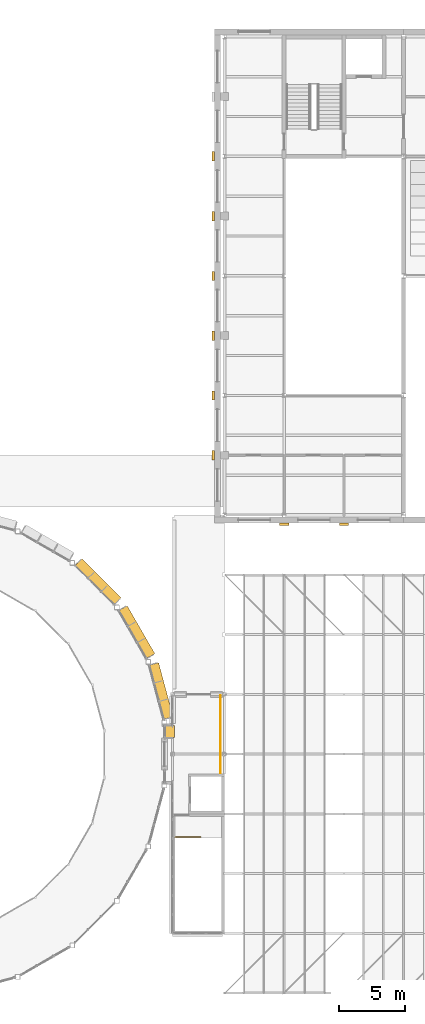
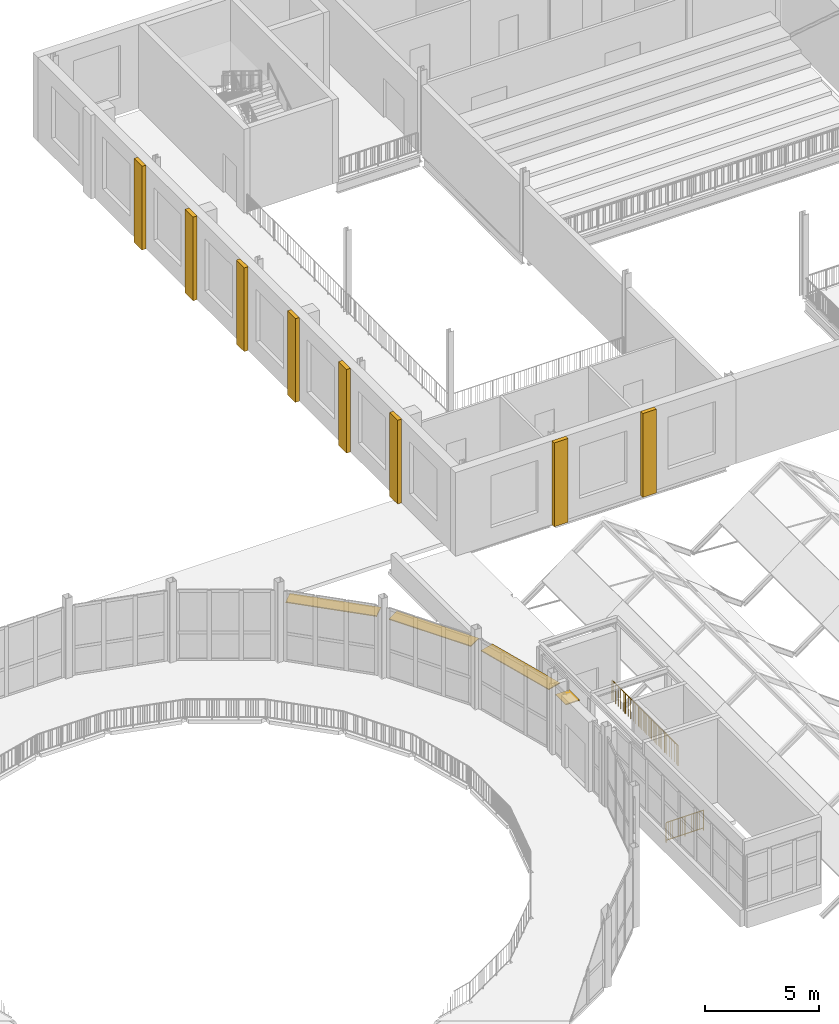
# One storey, part 67 of 74: 8 coverings, 4 shading devices, 2 railings.
"""IFC4 building model written with IfcOpenShell, lengths in metres."""

import ifcopenshell
import ifcopenshell.guid

model = None  # the IFC model being written
_history = None  # IfcOwnerHistory: only IFC2X3 demands one
_inside = {}  # id of a spatial element -> (the spatial element, [elements in it])
_under = {}  # id of a project, library or spatial element -> (it, [spatial elements below it])
_declared = {}  # id of a project -> (the project, [libraries it declares])
_typed = {}  # id of a type object -> (the type object, [elements of that type])
_made_of = {}  # id of a material, layer set ... -> (it, [elements and type objects made of it])


def new_model(schema):
    """Start an empty IFC model of exactly this schema.

    Asked for "IFC4X3", IfcOpenShell would pick the latest addendum, in which some entities
    have other attributes; the version numbers below select the first issue.
    IFC2X3 requires an IfcOwnerHistory on every rooted entity: one is made here for all.
    """
    global model, _history
    if schema == "IFC4X3":
        model = ifcopenshell.file(schema_version=(4, 3, 0, 0))
    else:
        model = ifcopenshell.file(schema=schema)
    _inside.clear()
    _under.clear()
    _declared.clear()
    _typed.clear()
    _made_of.clear()
    _history = None
    if model.schema == "IFC2X3":
        org = make("IfcOrganization", Name="unknown")
        user = make(
            "IfcPersonAndOrganization",
            ThePerson=make("IfcPerson", FamilyName="unknown"),
            TheOrganization=org,
        )
        app = make(
            "IfcApplication",
            ApplicationDeveloper=org,
            Version="unknown",
            ApplicationFullName="unknown",
            ApplicationIdentifier="unknown",
        )
        _history = make(
            "IfcOwnerHistory",
            OwningUser=user,
            OwningApplication=app,
            ChangeAction="ADDED",
            CreationDate=0,
        )
    return model


def make(cls, **values):
    """One entity of the class cls with the attributes given. An attribute that is None is left unset."""
    return model.create_entity(
        cls, **{name: value for name, value in values.items() if value is not None}
    )


def rooted(cls, **values):
    """An entity with a GlobalId (a new one), such as an element, a storey or a relation."""
    return make(cls, GlobalId=ifcopenshell.guid.new(), OwnerHistory=_history, **values)


def si_unit(unit_type, name, prefix=None):
    """IfcSIUnit, for example si_unit("LENGTHUNIT", "METRE", prefix="MILLI")."""
    return make("IfcSIUnit", UnitType=unit_type, Prefix=prefix, Name=name)


def assignment(units):
    """IfcUnitAssignment: the units of a project."""
    return None if units is None else make("IfcUnitAssignment", Units=units)


def point(xyz):
    """IfcCartesianPoint."""
    return None if xyz is None else make("IfcCartesianPoint", Coordinates=xyz)


def direction(xyz):
    """IfcDirection."""
    return None if xyz is None else make("IfcDirection", DirectionRatios=xyz)


def frame(location, z_axis=None, x_axis=None):
    """IfcAxis2Placement3D, a coordinate frame: its origin and axes. An axis left out is left unset."""
    return make(
        "IfcAxis2Placement3D",
        Location=point(location),
        Axis=direction(z_axis),
        RefDirection=direction(x_axis),
    )


def frame_2d(location, x_axis=None):
    """IfcAxis2Placement2D, a coordinate frame in the plane: its origin and x axis."""
    return make(
        "IfcAxis2Placement2D", Location=point(location), RefDirection=direction(x_axis)
    )


def origin():
    """The frame at (0, 0, 0) with its axes left unset."""
    return frame((0.0, 0.0, 0.0))


def origin_2d():
    """The frame at (0, 0) in the plane with its x axis left unset."""
    return frame_2d((0.0, 0.0))


def place(relative_to, where):
    """IfcLocalPlacement: puts the frame where relative to a parent placement (None: the world)."""
    return make(
        "IfcLocalPlacement", PlacementRelTo=relative_to, RelativePlacement=where
    )


def context(
    kind, dimensions, precision=None, world=None, true_north=None, identifier=None
):
    """IfcGeometricRepresentationContext, for example the 3D "Model" context."""
    return make(
        "IfcGeometricRepresentationContext",
        ContextIdentifier=identifier,
        ContextType=kind,
        CoordinateSpaceDimension=dimensions,
        Precision=precision,
        WorldCoordinateSystem=world,
        TrueNorth=true_north,
    )


def subcontext(parent, identifier, kind, view, scale=None):
    """IfcGeometricRepresentationSubContext, for example "Body" below "Model"."""
    return make(
        "IfcGeometricRepresentationSubContext",
        ContextIdentifier=identifier,
        ContextType=kind,
        ParentContext=parent,
        TargetScale=scale,
        TargetView=view,
    )


def project(units=None, contexts=None):
    """IfcProject with its units and contexts."""
    return rooted(
        "IfcProject",
        Name="project",
        RepresentationContexts=contexts,
        UnitsInContext=assignment(units),
    )


def spatial(cls, under=None, at=None, **own):
    """A site, building, storey or space (cls), placed at a placement, below another one or the project."""
    s = rooted(cls, ObjectPlacement=at, **own)
    if under is not None:
        _under.setdefault(under.id(), (under, []))[1].append(s)
    return s


def profile(cls, at=None, kind="AREA", **sizes):
    """A parametric profile (cls). Its sizes go by their IFC names, for example OverallWidth=200.0."""
    return make(cls, ProfileType=kind, Position=at, **sizes)


def rectangle(**sizes):
    """IfcRectangleProfileDef."""
    return profile("IfcRectangleProfileDef", **sizes)


def circle(**sizes):
    """IfcCircleProfileDef."""
    return profile("IfcCircleProfileDef", **sizes)


def extrude(swept, where, along, depth):
    """IfcExtrudedAreaSolid: the profile swept, set in the frame where, extruded along a direction by depth."""
    return make(
        "IfcExtrudedAreaSolid",
        SweptArea=swept,
        Position=where,
        ExtrudedDirection=direction(along),
        Depth=depth,
    )


def shape(context_of_items, identifier, shape_type, items):
    """IfcShapeRepresentation: the items that make up one representation, for example the "Body"."""
    return make(
        "IfcShapeRepresentation",
        ContextOfItems=context_of_items,
        RepresentationIdentifier=identifier,
        RepresentationType=shape_type,
        Items=items,
    )


def material(Name=None, Category=None):
    """IfcMaterial."""
    return make("IfcMaterial", Name=Name, Category=Category)


def layer(
    of_material, thickness, ventilated=None, Name=None, Category=None, Priority=None
):
    """IfcMaterialLayer: one layer of a wall or slab, of a material (None: an air gap)."""
    return make(
        "IfcMaterialLayer",
        Material=of_material,
        LayerThickness=thickness,
        IsVentilated=ventilated,
        Name=Name,
        Category=Category,
        Priority=Priority,
    )


def layer_set(layers, Name=None):
    """IfcMaterialLayerSet."""
    return make("IfcMaterialLayerSet", MaterialLayers=layers, LayerSetName=Name)


def made_of(thing, what):
    """Note that an element or type object is made of a material, layer set ...; save() writes the relation."""
    if what is not None:
        _made_of.setdefault(what.id(), (what, []))[1].append(thing)
    return thing


def type_object(cls, material=None, **own):
    """A type object (cls), such as IfcWallType, which elements share."""
    return made_of(rooted(cls, **own), material)


def element(
    cls,
    number,
    at=None,
    inside=None,
    cuts=None,
    type_object=None,
    material=None,
    context=None,
    identifier="Body",
    shape_type=None,
    held_by="IfcProductDefinitionShape",
    body=None,
    shapes=None,
    **own,
):
    """One element of the class cls, such as IfcWall. Its Tag is "e" and its number.

    at: its placement. inside: the storey or other place that contains it. cuts: it is an
    opening in that element (IfcRelVoidsElement). A single representation is given by context,
    identifier, shape_type and body (its items); several are given by shapes. held_by: the class
    of the entity that holds the representations. save() writes the other relations.
    """
    e = rooted(cls, Tag="e%d" % number, ObjectPlacement=at, **own)
    if body is not None:
        shapes = [shape(context, identifier, shape_type, body)]
    if shapes is not None:
        e.Representation = make(held_by, Representations=shapes)
    if inside is not None:
        _inside.setdefault(inside.id(), (inside, []))[1].append(e)
    if cuts is not None:
        rooted(
            "IfcRelVoidsElement", RelatingBuildingElement=cuts, RelatedOpeningElement=e
        )
    if type_object is not None:
        _typed.setdefault(type_object.id(), (type_object, []))[1].append(e)
    return made_of(e, material)


def aggregate(whole, parts):
    """IfcRelAggregates: a whole, such as a stair, and the parts it consists of."""
    return rooted("IfcRelAggregates", RelatingObject=whole, RelatedObjects=parts)


def save(model, path):
    """Write the relations noted so far, then the file.

    IfcRelAggregates (storeys below a building ...), IfcRelContainedInSpatialStructure (elements
    in a storey), IfcRelDefinesByType, IfcRelAssociatesMaterial and IfcRelDeclares: one each for
    every whole, place, type object, material and project.
    """
    for whole, parts in _under.values():
        aggregate(whole, parts)
    for where, things in _inside.values():
        rooted(
            "IfcRelContainedInSpatialStructure",
            RelatedElements=things,
            RelatingStructure=where,
        )
    for kind, things in _typed.values():
        rooted("IfcRelDefinesByType", RelatedObjects=things, RelatingType=kind)
    for what, things in _made_of.values():
        rooted("IfcRelAssociatesMaterial", RelatedObjects=things, RelatingMaterial=what)
    for by, libraries in _declared.values():
        rooted("IfcRelDeclares", RelatingContext=by, RelatedDefinitions=libraries)
    model.write(path)


model = new_model("IFC4")

# Units and contexts
model_context = context("Model", 3, precision=1e-05, world=origin(), true_north=direction((0.0, 1.0)))
body_context = subcontext(model_context, "Body", "Model", "MODEL_VIEW")
ifc_project = project(units=[si_unit("LENGTHUNIT", "METRE"), si_unit("AREAUNIT", "SQUARE_METRE"), si_unit("VOLUMEUNIT", "CUBIC_METRE"), si_unit("PLANEANGLEUNIT", "RADIAN"), si_unit("MASSUNIT", "GRAM", prefix="KILO")], contexts=[model_context])

# Site, building, storey
site_placement = place(None, origin())
site = spatial("IfcSite", under=ifc_project, at=site_placement, CompositionType="ELEMENT")
building_placement = place(site_placement, origin())
building = spatial("IfcBuilding", under=site, at=building_placement, Name="Hortulan Conservatory and Botanical Research Centre", CompositionType="ELEMENT")
storey_placement = place(building_placement, frame((0.0, 0.0, 6.0)))
storey = spatial("IfcBuildingStorey", under=building, at=storey_placement, Name="L01", CompositionType="ELEMENT", Elevation=6.0)

# Shading devices
ifc_material_1 = material(Name="Bronze-finished perforated aluminium", Category="aluminium")
ifc_layer_1 = layer(ifc_material_1, 0.050048828125)
ifc_layer_set_1 = layer_set([ifc_layer_1], Name="Banksia Brise-soleil Blade 700x50")
shading_device_type = type_object("IfcShadingDeviceType", Name="Banksia Brise-soleil Blade 700x50", PredefinedType="USERDEFINED", material=ifc_layer_set_1)
shading_device_1_placement = place(storey_placement, frame((71.753662109375, 22.75732421875, 3.10009765625), z_axis=(0.0, 0.0, 1.0), x_axis=(0.258832531946, -0.965922212399, 0.0)))
element("IfcShadingDevice", 1, at=shading_device_1_placement, inside=storey, type_object=shading_device_type, Name="Banksia brise-soleil blade", ObjectType="Banksia blade", PredefinedType="USERDEFINED", context=body_context, shape_type="SweptSolid", body=[
    extrude(rectangle(XDim=4.2109375, YDim=0.699951171875, at=origin_2d()), origin(), (0.0, 0.0, 1.0), 0.050048828125),
])
shading_device_2_placement = place(storey_placement, frame((69.91748046875, 27.18994140625, 3.10009765625), z_axis=(0.0, 0.0, 1.0), x_axis=(0.499981861897, -0.86603587557, 0.0)))
element("IfcShadingDevice", 2, at=shading_device_2_placement, inside=storey, type_object=shading_device_type, Name="Banksia brise-soleil blade", ObjectType="Banksia blade", PredefinedType="USERDEFINED", context=body_context, shape_type="SweptSolid", body=[
    extrude(rectangle(XDim=4.16064453125, YDim=0.699951171875, at=origin_2d()), origin(), (0.0, 0.0, 1.0), 0.050048828125),
])
shading_device_3_placement = place(storey_placement, frame((66.99658203125, 30.99658203125, 3.10009765625), z_axis=(0.0, 0.0, 1.0), x_axis=(0.707106781187, -0.707106781187, 0.0)))
element("IfcShadingDevice", 3, at=shading_device_3_placement, inside=storey, type_object=shading_device_type, Name="Banksia brise-soleil blade", ObjectType="Banksia blade", PredefinedType="USERDEFINED", context=body_context, shape_type="SweptSolid", body=[
    extrude(rectangle(XDim=4.145263671875, YDim=0.699951171875, at=origin_2d()), origin(), (0.0, 0.0, 1.0), 0.050048828125),
])
shading_device_4_placement = place(storey_placement, frame((72.3798828125, 19.697509765625, 3.10009765625), z_axis=(0.0, 0.0, 1.0), x_axis=(0.0, -1.0, 0.0)))
element("IfcShadingDevice", 4, at=shading_device_4_placement, inside=storey, type_object=shading_device_type, Name="Banksia brise-soleil blade", ObjectType="Banksia blade", PredefinedType="USERDEFINED", context=body_context, shape_type="SweptSolid", body=[
    extrude(rectangle(XDim=0.89501953125, YDim=0.699951171875, at=origin_2d()), origin(), (0.0, 0.0, 1.0), 0.050048828125),
])

# Coverings
ifc_material_2 = material(Name="Sandstone masonry (Hawkesbury yellow block)", Category="masonry")
ifc_layer_2 = layer(ifc_material_2, 0.199951171875)
ifc_layer_set_2 = layer_set([ifc_layer_2], Name="Sandstone Pilaster 700x200")
covering_type = type_object("IfcCoveringType", Name="Sandstone Pilaster 700x200", PredefinedType="CLADDING", material=ifc_layer_set_2)
for number, where, z_axis, x_axis, name in (
    (5, (85.5, 35.29541015625, 0.0), (0.0, 0.0, 1.0), (-1.0, 0.0, 0.0), "Pier"),
    (6, (81.0, 35.29541015625, 0.0), (0.0, 0.0, 1.0), (-1.0, 0.0, 0.0), "Pier"),
    (7, (75.64990234375, 40.5, 0.0), (0.0, 0.0, 1.0), (0.0, 1.0, 0.0), "Pier"),
    (8, (75.64990234375, 45.0, 0.0), (0.0, 0.0, 1.0), (0.0, 1.0, 0.0), "Pier"),
    (9, (75.64990234375, 49.5, 0.0), (0.0, 0.0, 1.0), (0.0, 1.0, 0.0), "Pier"),
    (10, (75.64990234375, 54.0, 0.0), (0.0, 0.0, 1.0), (0.0, 1.0, 0.0), "Pier"),
    (11, (75.64990234375, 58.5, 0.0), (0.0, 0.0, 1.0), (0.0, 1.0, 0.0), "Pier"),
    (12, (75.64990234375, 63.0, 0.0), (0.0, 0.0, 1.0), (0.0, 1.0, 0.0), "Pier"),
):
    element("IfcCovering", number, at=place(storey_placement, frame(where, z_axis=z_axis, x_axis=x_axis)), inside=storey, type_object=covering_type, Name=name, PredefinedType="CLADDING", context=body_context, shape_type="SweptSolid", body=[
        extrude(rectangle(XDim=0.699951171875, YDim=0.199951171875, at=origin_2d()), origin(), (0.0, 0.0, 1.0), 4.5),
    ])

# Railings
ifc_material_3 = material(Name="Steel balustrade, bronze-charcoal paint", Category="steel")
railing_type_1 = type_object("IfcRailingType", Name="Stair Guard 1100", PredefinedType="GUARDRAIL", material=ifc_material_3)
railing_1_placement = place(storey_placement, frame((72.800048828125, 11.75, 0.0)))
element("IfcRailing", 13, at=railing_1_placement, inside=storey, type_object=railing_type_1, Name="Guard SHE L01 stair well 1", PredefinedType="GUARDRAIL", context=body_context, shape_type="SweptSolid", body=[
    extrude(circle(Radius=0.02392578125, at=origin_2d()), frame((0.0, 0.0, 1.076171875), z_axis=(1.0, 0.0, 0.0), x_axis=(0.0, 1.0, 0.0)), (0.0, 0.0, 1.0), 1.89990234375),
    extrude(circle(Radius=0.02392578125, at=origin_2d()), frame((0.0, 0.0, 0.1240234375), z_axis=(1.0, 0.0, 0.0), x_axis=(0.0, 1.0, 0.0)), (0.0, 0.0, 1.0), 1.89990234375),
    extrude(circle(Radius=0.008056640625, at=origin_2d()), frame((0.10546875, 0.0, 0.148193359375)), (0.0, 0.0, 1.0), 0.90380859375),
    extrude(circle(Radius=0.008056640625, at=origin_2d()), frame((0.211181640625, 0.0, 0.148193359375)), (0.0, 0.0, 1.0), 0.90380859375),
    extrude(circle(Radius=0.008056640625, at=origin_2d()), frame((0.316650390625, 0.0, 0.148193359375)), (0.0, 0.0, 1.0), 0.90380859375),
    extrude(circle(Radius=0.008056640625, at=origin_2d()), frame((0.422119140625, 0.0, 0.148193359375)), (0.0, 0.0, 1.0), 0.90380859375),
    extrude(circle(Radius=0.008056640625, at=origin_2d()), frame((0.52783203125, 0.0, 0.148193359375)), (0.0, 0.0, 1.0), 0.90380859375),
    extrude(circle(Radius=0.008056640625, at=origin_2d()), frame((0.63330078125, 0.0, 0.148193359375)), (0.0, 0.0, 1.0), 0.90380859375),
    extrude(circle(Radius=0.008056640625, at=origin_2d()), frame((0.73876953125, 0.0, 0.148193359375)), (0.0, 0.0, 1.0), 0.90380859375),
    extrude(circle(Radius=0.008056640625, at=origin_2d()), frame((0.844482421875, 0.0, 0.148193359375)), (0.0, 0.0, 1.0), 0.90380859375),
    extrude(circle(Radius=0.008056640625, at=origin_2d()), frame((0.949951171875, 0.0, 0.148193359375)), (0.0, 0.0, 1.0), 0.90380859375),
    extrude(circle(Radius=0.008056640625, at=origin_2d()), frame((1.055419921875, 0.0, 0.148193359375)), (0.0, 0.0, 1.0), 0.90380859375),
    extrude(circle(Radius=0.008056640625, at=origin_2d()), frame((1.1611328125, 0.0, 0.148193359375)), (0.0, 0.0, 1.0), 0.90380859375),
    extrude(circle(Radius=0.008056640625, at=origin_2d()), frame((1.2666015625, 0.0, 0.148193359375)), (0.0, 0.0, 1.0), 0.90380859375),
    extrude(circle(Radius=0.008056640625, at=origin_2d()), frame((1.3720703125, 0.0, 0.148193359375)), (0.0, 0.0, 1.0), 0.90380859375),
    extrude(circle(Radius=0.008056640625, at=origin_2d()), frame((1.477783203125, 0.0, 0.148193359375)), (0.0, 0.0, 1.0), 0.90380859375),
    extrude(circle(Radius=0.008056640625, at=origin_2d()), frame((1.583251953125, 0.0, 0.148193359375)), (0.0, 0.0, 1.0), 0.90380859375),
    extrude(circle(Radius=0.008056640625, at=origin_2d()), frame((1.688720703125, 0.0, 0.148193359375)), (0.0, 0.0, 1.0), 0.90380859375),
    extrude(circle(Radius=0.008056640625, at=origin_2d()), frame((1.79443359375, 0.0, 0.148193359375)), (0.0, 0.0, 1.0), 0.90380859375),
    extrude(circle(Radius=0.02099609375, at=origin_2d()), origin(), (0.0, 0.0, 1.0), 1.052001953125),
    extrude(circle(Radius=0.02099609375, at=origin_2d()), frame((0.949951171875, 0.0, 0.0)), (0.0, 0.0, 1.0), 1.052001953125),
    extrude(circle(Radius=0.02099609375, at=origin_2d()), frame((1.89990234375, 0.0, 0.0)), (0.0, 0.0, 1.0), 1.052001953125),
])
ifc_material_4 = material(Name="Wrought iron guard, bronze-charcoal paint", Category="metal")
railing_type_2 = type_object("IfcRailingType", Name="Wrought Iron Guard 1100", PredefinedType="GUARDRAIL", material=ifc_material_4)
railing_2_placement = place(storey_placement, frame((76.199951171875, 16.60009765625, 0.0)))
element("IfcRailing", 14, at=railing_2_placement, inside=storey, type_object=railing_type_2, Name="East head link lobby guard", PredefinedType="GUARDRAIL", context=body_context, shape_type="SweptSolid", body=[
    extrude(circle(Radius=0.02490234375, at=origin_2d()), frame((0.0, 0.0, 1.0751953125), z_axis=(0.0, 1.0, 0.0), x_axis=(-1.0, 0.0, 0.0)), (0.0, 0.0, 1.0), 5.7998046875),
    extrude(circle(Radius=0.008056640625, at=origin_2d()), frame((0.0, 0.109375, 0.0)), (0.0, 0.0, 1.0), 1.050048828125),
    extrude(circle(Radius=0.008056640625, at=origin_2d()), frame((0.0, 0.21875, 0.0)), (0.0, 0.0, 1.0), 1.050048828125),
    extrude(circle(Radius=0.008056640625, at=origin_2d()), frame((0.0, 0.328369140625, 0.0)), (0.0, 0.0, 1.0), 1.050048828125),
    extrude(circle(Radius=0.008056640625, at=origin_2d()), frame((0.0, 0.437744140625, 0.0)), (0.0, 0.0, 1.0), 1.050048828125),
    extrude(circle(Radius=0.008056640625, at=origin_2d()), frame((0.0, 0.547119140625, 0.0)), (0.0, 0.0, 1.0), 1.050048828125),
    extrude(circle(Radius=0.008056640625, at=origin_2d()), frame((0.0, 0.656494140625, 0.0)), (0.0, 0.0, 1.0), 1.050048828125),
    extrude(circle(Radius=0.008056640625, at=origin_2d()), frame((0.0, 0.76611328125, 0.0)), (0.0, 0.0, 1.0), 1.050048828125),
    extrude(circle(Radius=0.008056640625, at=origin_2d()), frame((0.0, 0.87548828125, 0.0)), (0.0, 0.0, 1.0), 1.050048828125),
    extrude(circle(Radius=0.008056640625, at=origin_2d()), frame((0.0, 0.98486328125, 0.0)), (0.0, 0.0, 1.0), 1.050048828125),
    extrude(circle(Radius=0.008056640625, at=origin_2d()), frame((0.0, 1.09423828125, 0.0)), (0.0, 0.0, 1.0), 1.050048828125),
    extrude(circle(Radius=0.008056640625, at=origin_2d()), frame((0.0, 1.20361328125, 0.0)), (0.0, 0.0, 1.0), 1.050048828125),
    extrude(circle(Radius=0.008056640625, at=origin_2d()), frame((0.0, 1.313232421875, 0.0)), (0.0, 0.0, 1.0), 1.050048828125),
    extrude(circle(Radius=0.008056640625, at=origin_2d()), frame((0.0, 1.422607421875, 0.0)), (0.0, 0.0, 1.0), 1.050048828125),
    extrude(circle(Radius=0.008056640625, at=origin_2d()), frame((0.0, 1.531982421875, 0.0)), (0.0, 0.0, 1.0), 1.050048828125),
    extrude(circle(Radius=0.008056640625, at=origin_2d()), frame((0.0, 1.641357421875, 0.0)), (0.0, 0.0, 1.0), 1.050048828125),
    extrude(circle(Radius=0.008056640625, at=origin_2d()), frame((0.0, 1.7509765625, 0.0)), (0.0, 0.0, 1.0), 1.050048828125),
    extrude(circle(Radius=0.008056640625, at=origin_2d()), frame((0.0, 1.8603515625, 0.0)), (0.0, 0.0, 1.0), 1.050048828125),
    extrude(circle(Radius=0.008056640625, at=origin_2d()), frame((0.0, 1.9697265625, 0.0)), (0.0, 0.0, 1.0), 1.050048828125),
    extrude(circle(Radius=0.008056640625, at=origin_2d()), frame((0.0, 2.0791015625, 0.0)), (0.0, 0.0, 1.0), 1.050048828125),
    extrude(circle(Radius=0.008056640625, at=origin_2d()), frame((0.0, 2.188720703125, 0.0)), (0.0, 0.0, 1.0), 1.050048828125),
    extrude(circle(Radius=0.008056640625, at=origin_2d()), frame((0.0, 2.298095703125, 0.0)), (0.0, 0.0, 1.0), 1.050048828125),
    extrude(circle(Radius=0.008056640625, at=origin_2d()), frame((0.0, 2.407470703125, 0.0)), (0.0, 0.0, 1.0), 1.050048828125),
    extrude(circle(Radius=0.008056640625, at=origin_2d()), frame((0.0, 2.516845703125, 0.0)), (0.0, 0.0, 1.0), 1.050048828125),
    extrude(circle(Radius=0.008056640625, at=origin_2d()), frame((0.0, 2.626220703125, 0.0)), (0.0, 0.0, 1.0), 1.050048828125),
    extrude(circle(Radius=0.008056640625, at=origin_2d()), frame((0.0, 2.73583984375, 0.0)), (0.0, 0.0, 1.0), 1.050048828125),
    extrude(circle(Radius=0.008056640625, at=origin_2d()), frame((0.0, 2.84521484375, 0.0)), (0.0, 0.0, 1.0), 1.050048828125),
    extrude(circle(Radius=0.008056640625, at=origin_2d()), frame((0.0, 2.95458984375, 0.0)), (0.0, 0.0, 1.0), 1.050048828125),
    extrude(circle(Radius=0.008056640625, at=origin_2d()), frame((0.0, 3.06396484375, 0.0)), (0.0, 0.0, 1.0), 1.050048828125),
    extrude(circle(Radius=0.008056640625, at=origin_2d()), frame((0.0, 3.173583984375, 0.0)), (0.0, 0.0, 1.0), 1.050048828125),
    extrude(circle(Radius=0.008056640625, at=origin_2d()), frame((0.0, 3.282958984375, 0.0)), (0.0, 0.0, 1.0), 1.050048828125),
    extrude(circle(Radius=0.008056640625, at=origin_2d()), frame((0.0, 3.392333984375, 0.0)), (0.0, 0.0, 1.0), 1.050048828125),
    extrude(circle(Radius=0.008056640625, at=origin_2d()), frame((0.0, 3.501708984375, 0.0)), (0.0, 0.0, 1.0), 1.050048828125),
    extrude(circle(Radius=0.008056640625, at=origin_2d()), frame((0.0, 3.611083984375, 0.0)), (0.0, 0.0, 1.0), 1.050048828125),
    extrude(circle(Radius=0.008056640625, at=origin_2d()), frame((0.0, 3.720703125, 0.0)), (0.0, 0.0, 1.0), 1.050048828125),
    extrude(circle(Radius=0.008056640625, at=origin_2d()), frame((0.0, 3.830078125, 0.0)), (0.0, 0.0, 1.0), 1.050048828125),
    extrude(circle(Radius=0.008056640625, at=origin_2d()), frame((0.0, 3.939453125, 0.0)), (0.0, 0.0, 1.0), 1.050048828125),
    extrude(circle(Radius=0.008056640625, at=origin_2d()), frame((0.0, 4.048828125, 0.0)), (0.0, 0.0, 1.0), 1.050048828125),
    extrude(circle(Radius=0.008056640625, at=origin_2d()), frame((0.0, 4.158447265625, 0.0)), (0.0, 0.0, 1.0), 1.050048828125),
    extrude(circle(Radius=0.008056640625, at=origin_2d()), frame((0.0, 4.267822265625, 0.0)), (0.0, 0.0, 1.0), 1.050048828125),
    extrude(circle(Radius=0.008056640625, at=origin_2d()), frame((0.0, 4.377197265625, 0.0)), (0.0, 0.0, 1.0), 1.050048828125),
    extrude(circle(Radius=0.008056640625, at=origin_2d()), frame((0.0, 4.486572265625, 0.0)), (0.0, 0.0, 1.0), 1.050048828125),
    extrude(circle(Radius=0.008056640625, at=origin_2d()), frame((0.0, 4.59619140625, 0.0)), (0.0, 0.0, 1.0), 1.050048828125),
    extrude(circle(Radius=0.008056640625, at=origin_2d()), frame((0.0, 4.70556640625, 0.0)), (0.0, 0.0, 1.0), 1.050048828125),
    extrude(circle(Radius=0.008056640625, at=origin_2d()), frame((0.0, 4.81494140625, 0.0)), (0.0, 0.0, 1.0), 1.050048828125),
    extrude(circle(Radius=0.008056640625, at=origin_2d()), frame((0.0, 4.92431640625, 0.0)), (0.0, 0.0, 1.0), 1.050048828125),
    extrude(circle(Radius=0.008056640625, at=origin_2d()), frame((0.0, 5.03369140625, 0.0)), (0.0, 0.0, 1.0), 1.050048828125),
    extrude(circle(Radius=0.008056640625, at=origin_2d()), frame((0.0, 5.143310546875, 0.0)), (0.0, 0.0, 1.0), 1.050048828125),
    extrude(circle(Radius=0.008056640625, at=origin_2d()), frame((0.0, 5.252685546875, 0.0)), (0.0, 0.0, 1.0), 1.050048828125),
    extrude(circle(Radius=0.008056640625, at=origin_2d()), frame((0.0, 5.362060546875, 0.0)), (0.0, 0.0, 1.0), 1.050048828125),
    extrude(circle(Radius=0.008056640625, at=origin_2d()), frame((0.0, 5.471435546875, 0.0)), (0.0, 0.0, 1.0), 1.050048828125),
    extrude(circle(Radius=0.008056640625, at=origin_2d()), frame((0.0, 5.5810546875, 0.0)), (0.0, 0.0, 1.0), 1.050048828125),
    extrude(circle(Radius=0.008056640625, at=origin_2d()), frame((0.0, 5.6904296875, 0.0)), (0.0, 0.0, 1.0), 1.050048828125),
    extrude(circle(Radius=0.02490234375, at=origin_2d()), origin(), (0.0, 0.0, 1.0), 1.050048828125),
    extrude(circle(Radius=0.02490234375, at=origin_2d()), frame((0.0, 1.159912109375, 0.0)), (0.0, 0.0, 1.0), 1.050048828125),
    extrude(circle(Radius=0.02490234375, at=origin_2d()), frame((0.0, 2.31982421875, 0.0)), (0.0, 0.0, 1.0), 1.050048828125),
    extrude(circle(Radius=0.02490234375, at=origin_2d()), frame((0.0, 3.47998046875, 0.0)), (0.0, 0.0, 1.0), 1.050048828125),
    extrude(circle(Radius=0.02490234375, at=origin_2d()), frame((0.0, 4.639892578125, 0.0)), (0.0, 0.0, 1.0), 1.050048828125),
    extrude(circle(Radius=0.02490234375, at=origin_2d()), frame((0.0, 5.7998046875, 0.0)), (0.0, 0.0, 1.0), 1.050048828125),
])

save(model, "model.ifc")
